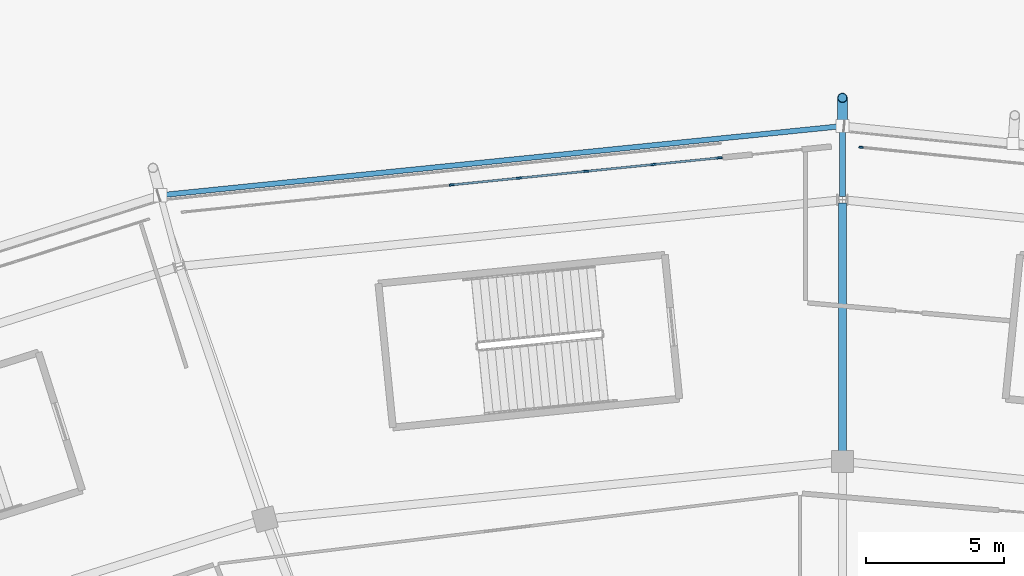
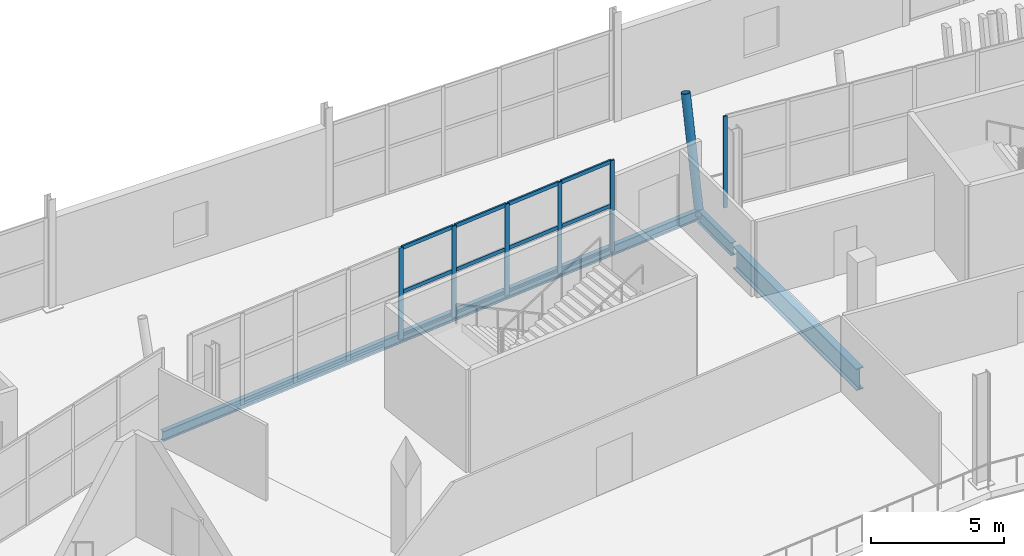
# One storey, part 77 of 179: 19 members, 3 beams, 2 elements without a shape of their own.
"""IFC4 building model written with IfcOpenShell, lengths in metres."""

from ifc_helpers import new_model, si_unit, direction, frame, origin, origin_2d, place, context, subcontext, project, spatial, rectangle, hollow_circle, i_section, extrude, material, material_profile, profile_set, type_object, element, aggregate, save


model = new_model("IFC4")

# Units and contexts
model_context = context("Model", 3, precision=1e-05, world=origin(), true_north=direction((0.0, 1.0)))
body_context = subcontext(model_context, "Body", "Model", "MODEL_VIEW")
ifc_project = project(units=[si_unit("LENGTHUNIT", "METRE"), si_unit("AREAUNIT", "SQUARE_METRE"), si_unit("VOLUMEUNIT", "CUBIC_METRE"), si_unit("PLANEANGLEUNIT", "RADIAN"), si_unit("MASSUNIT", "GRAM", prefix="KILO")], contexts=[model_context])

# Site, building, storey
site_placement = place(None, origin())
site = spatial("IfcSite", under=ifc_project, at=site_placement, CompositionType="ELEMENT")
building_placement = place(site_placement, origin())
building = spatial("IfcBuilding", under=site, at=building_placement, Name="Zlatoyarsky Gate Stadium", CompositionType="ELEMENT")
storey_placement = place(building_placement, frame((0.0, 0.0, 10.60009765625)))
storey = spatial("IfcBuildingStorey", under=building, at=storey_placement, Name="L02", CompositionType="ELEMENT", Elevation=10.60009765625)

# Curtain wall, members
ifc_material_1 = material(Name="Thermally broken anodised aluminium curtain wall", Category="aluminium")
curtain_wall_type_1 = type_object("IfcCurtainWallType", Name="MONUMENTAL ARCHED GATE GLAZING UPPER", PredefinedType="USERDEFINED", material=ifc_material_1)
curtain_wall_1_placement = place(storey_placement, origin())
curtain_wall_1 = element("IfcCurtainWall", 1, at=curtain_wall_1_placement, inside=storey, type_object=curtain_wall_type_1, Name="Curtain wall CW-L02-06", ObjectType="ARCHED GATE GLAZING", PredefinedType="USERDEFINED")
ifc_material_2 = material(Name="Anodised aluminium 6063-T6", Category="aluminium")
ifc_material_profile_1 = material_profile(ifc_material_2, rectangle(XDim=0.074951171875, YDim=0.18994140625, at=origin_2d()), Name="ALU 75X190")
ifc_profile_set_1 = profile_set([ifc_material_profile_1], Name="Anodised aluminium 6063-T6")
member_type_1 = type_object("IfcMemberType", Name="ALUMINIUM GATE MULLION 75X190", PredefinedType="MULLION", material=ifc_profile_set_1)
member_1_placement = place(storey_placement, frame((106.535400390625, 152.524169921875, 0.0), z_axis=(0.0, 0.0, 1.0), x_axis=(0.100642363208, -0.994922667712, 0.0)))
member_1 = element("IfcMember", 2, at=member_1_placement, type_object=member_type_1, Name="CW-AG2 mullion 1", PredefinedType="MULLION", context=body_context, shape_type="SweptSolid", body=[
    extrude(rectangle(XDim=0.074951171875, YDim=0.18994140625, at=origin_2d()), origin(), (0.0, 0.0, 1.0), 4.199951171875),
])
member_2_placement = place(storey_placement, frame((104.13427734375, 152.28125, 0.0), z_axis=(0.0, 0.0, 1.0), x_axis=(0.100642363208, -0.994922667712, 0.0)))
member_2 = element("IfcMember", 3, at=member_2_placement, type_object=member_type_1, Name="CW-AG2 mullion 2", PredefinedType="MULLION", context=body_context, shape_type="SweptSolid", body=[
    extrude(rectangle(XDim=0.074951171875, YDim=0.18994140625, at=origin_2d()), origin(), (0.0, 0.0, 1.0), 4.199951171875),
])
member_3_placement = place(storey_placement, frame((101.69580078125, 152.03466796875, 0.0), z_axis=(0.0, 0.0, 1.0), x_axis=(0.100642363208, -0.994922667712, 0.0)))
member_3 = element("IfcMember", 4, at=member_3_placement, type_object=member_type_1, Name="CW-AG2 mullion 3", PredefinedType="MULLION", context=body_context, shape_type="SweptSolid", body=[
    extrude(rectangle(XDim=0.074951171875, YDim=0.18994140625, at=origin_2d()), origin(), (0.0, 0.0, 1.0), 4.199951171875),
])
member_4_placement = place(storey_placement, frame((99.25732421875, 151.7880859375, 0.0), z_axis=(0.0, 0.0, 1.0), x_axis=(0.100642363208, -0.994922667712, 0.0)))
member_4 = element("IfcMember", 5, at=member_4_placement, type_object=member_type_1, Name="CW-AG2 mullion 4", PredefinedType="MULLION", context=body_context, shape_type="SweptSolid", body=[
    extrude(rectangle(XDim=0.074951171875, YDim=0.18994140625, at=origin_2d()), origin(), (0.0, 0.0, 1.0), 4.199951171875),
])
member_5_placement = place(storey_placement, frame((96.81884765625, 151.541259765625, 0.0), z_axis=(0.0, 0.0, 1.0), x_axis=(0.100642363208, -0.994922667712, 0.0)))
member_5 = element("IfcMember", 6, at=member_5_placement, type_object=member_type_1, Name="CW-AG2 mullion 5", PredefinedType="MULLION", context=body_context, shape_type="SweptSolid", body=[
    extrude(rectangle(XDim=0.074951171875, YDim=0.18994140625, at=origin_2d()), origin(), (0.0, 0.0, 1.0), 4.199951171875),
])
ifc_material_profile_2 = material_profile(ifc_material_2, rectangle(XDim=0.074951171875, YDim=0.169921875, at=origin_2d()), Name="ALU 75X170")
ifc_profile_set_2 = profile_set([ifc_material_profile_2], Name="Anodised aluminium 6063-T6")
member_type_2 = type_object("IfcMemberType", Name="ALUMINIUM GATE TRANSOM 75X170", PredefinedType="USERDEFINED", material=ifc_profile_set_2)
member_6_placement = place(storey_placement, frame((106.498046875, 152.5205078125, 0.037353515625), z_axis=(-0.994922838656, -0.100640673291, 0.0), x_axis=(0.100640673291, -0.994922838656, 0.0)))
member_6 = element("IfcMember", 7, at=member_6_placement, type_object=member_type_2, Name="CW-AG2 transom 1.1", ObjectType="TRANSOM", PredefinedType="USERDEFINED", context=body_context, shape_type="SweptSolid", body=[
    extrude(rectangle(XDim=0.074951171875, YDim=0.169921875, at=origin_2d()), origin(), (0.0, 0.0, 1.0), 2.338623046875),
])
member_7_placement = place(storey_placement, frame((106.498046875, 152.5205078125, 2.14990234375), z_axis=(-0.994922838656, -0.100640673291, 0.0), x_axis=(0.100640673291, -0.994922838656, 0.0)))
member_7 = element("IfcMember", 8, at=member_7_placement, type_object=member_type_2, Name="CW-AG2 transom 1.2", ObjectType="TRANSOM", PredefinedType="USERDEFINED", context=body_context, shape_type="SweptSolid", body=[
    extrude(rectangle(XDim=0.074951171875, YDim=0.169921875, at=origin_2d()), origin(), (0.0, 0.0, 1.0), 2.338623046875),
])
member_8_placement = place(storey_placement, frame((106.498046875, 152.5205078125, 4.162353515625), z_axis=(-0.994922838656, -0.100640673291, 0.0), x_axis=(0.100640673291, -0.994922838656, 0.0)))
member_8 = element("IfcMember", 9, at=member_8_placement, type_object=member_type_2, Name="CW-AG2 transom 1.3", ObjectType="TRANSOM", PredefinedType="USERDEFINED", context=body_context, shape_type="SweptSolid", body=[
    extrude(rectangle(XDim=0.074951171875, YDim=0.169921875, at=origin_2d()), origin(), (0.0, 0.0, 1.0), 2.338623046875),
])
member_9_placement = place(storey_placement, frame((104.096923828125, 152.277587890625, 0.037353515625), z_axis=(-0.994916410424, -0.10070420184, 0.0), x_axis=(0.10070420184, -0.994916410424, 0.0)))
member_9 = element("IfcMember", 10, at=member_9_placement, type_object=member_type_2, Name="CW-AG2 transom 2.1", ObjectType="TRANSOM", PredefinedType="USERDEFINED", context=body_context, shape_type="SweptSolid", body=[
    extrude(rectangle(XDim=0.074951171875, YDim=0.169921875, at=origin_2d()), origin(), (0.0, 0.0, 1.0), 2.375732421875),
])
member_10_placement = place(storey_placement, frame((104.096923828125, 152.277587890625, 2.14990234375), z_axis=(-0.994916410424, -0.10070420184, 0.0), x_axis=(0.10070420184, -0.994916410424, 0.0)))
member_10 = element("IfcMember", 11, at=member_10_placement, type_object=member_type_2, Name="CW-AG2 transom 2.2", ObjectType="TRANSOM", PredefinedType="USERDEFINED", context=body_context, shape_type="SweptSolid", body=[
    extrude(rectangle(XDim=0.074951171875, YDim=0.169921875, at=origin_2d()), origin(), (0.0, 0.0, 1.0), 2.375732421875),
])
member_11_placement = place(storey_placement, frame((104.096923828125, 152.277587890625, 4.162353515625), z_axis=(-0.994916410424, -0.10070420184, 0.0), x_axis=(0.10070420184, -0.994916410424, 0.0)))
member_11 = element("IfcMember", 12, at=member_11_placement, type_object=member_type_2, Name="CW-AG2 transom 2.3", ObjectType="TRANSOM", PredefinedType="USERDEFINED", context=body_context, shape_type="SweptSolid", body=[
    extrude(rectangle(XDim=0.074951171875, YDim=0.169921875, at=origin_2d()), origin(), (0.0, 0.0, 1.0), 2.375732421875),
])
member_12_placement = place(storey_placement, frame((101.658447265625, 152.031005859375, 0.037353515625), z_axis=(-0.994916410424, -0.10070420184, 0.0), x_axis=(0.10070420184, -0.994916410424, 0.0)))
member_12 = element("IfcMember", 13, at=member_12_placement, type_object=member_type_2, Name="CW-AG2 transom 3.1", ObjectType="TRANSOM", PredefinedType="USERDEFINED", context=body_context, shape_type="SweptSolid", body=[
    extrude(rectangle(XDim=0.074951171875, YDim=0.169921875, at=origin_2d()), origin(), (0.0, 0.0, 1.0), 2.375732421875),
])
member_13_placement = place(storey_placement, frame((101.658447265625, 152.031005859375, 2.14990234375), z_axis=(-0.994916410424, -0.10070420184, 0.0), x_axis=(0.10070420184, -0.994916410424, 0.0)))
member_13 = element("IfcMember", 14, at=member_13_placement, type_object=member_type_2, Name="CW-AG2 transom 3.2", ObjectType="TRANSOM", PredefinedType="USERDEFINED", context=body_context, shape_type="SweptSolid", body=[
    extrude(rectangle(XDim=0.074951171875, YDim=0.169921875, at=origin_2d()), origin(), (0.0, 0.0, 1.0), 2.375732421875),
])
member_14_placement = place(storey_placement, frame((101.658447265625, 152.031005859375, 4.162353515625), z_axis=(-0.994916410424, -0.10070420184, 0.0), x_axis=(0.10070420184, -0.994916410424, 0.0)))
member_14 = element("IfcMember", 15, at=member_14_placement, type_object=member_type_2, Name="CW-AG2 transom 3.3", ObjectType="TRANSOM", PredefinedType="USERDEFINED", context=body_context, shape_type="SweptSolid", body=[
    extrude(rectangle(XDim=0.074951171875, YDim=0.169921875, at=origin_2d()), origin(), (0.0, 0.0, 1.0), 2.375732421875),
])
member_15_placement = place(storey_placement, frame((99.219970703125, 151.7841796875, 0.037353515625), z_axis=(-0.994926701027, -0.10060248299, 0.0), x_axis=(0.10060248299, -0.994926701027, 0.0)))
member_15 = element("IfcMember", 16, at=member_15_placement, type_object=member_type_2, Name="CW-AG2 transom 4.1", ObjectType="TRANSOM", PredefinedType="USERDEFINED", context=body_context, shape_type="SweptSolid", body=[
    extrude(rectangle(XDim=0.074951171875, YDim=0.169921875, at=origin_2d()), origin(), (0.0, 0.0, 1.0), 2.375732421875),
])
member_16_placement = place(storey_placement, frame((99.219970703125, 151.7841796875, 2.14990234375), z_axis=(-0.994926701027, -0.10060248299, 0.0), x_axis=(0.10060248299, -0.994926701027, 0.0)))
member_16 = element("IfcMember", 17, at=member_16_placement, type_object=member_type_2, Name="CW-AG2 transom 4.2", ObjectType="TRANSOM", PredefinedType="USERDEFINED", context=body_context, shape_type="SweptSolid", body=[
    extrude(rectangle(XDim=0.074951171875, YDim=0.169921875, at=origin_2d()), origin(), (0.0, 0.0, 1.0), 2.375732421875),
])
member_17_placement = place(storey_placement, frame((99.219970703125, 151.7841796875, 4.162353515625), z_axis=(-0.994926701027, -0.10060248299, 0.0), x_axis=(0.10060248299, -0.994926701027, 0.0)))
member_17 = element("IfcMember", 18, at=member_17_placement, type_object=member_type_2, Name="CW-AG2 transom 4.3", ObjectType="TRANSOM", PredefinedType="USERDEFINED", context=body_context, shape_type="SweptSolid", body=[
    extrude(rectangle(XDim=0.074951171875, YDim=0.169921875, at=origin_2d()), origin(), (0.0, 0.0, 1.0), 2.375732421875),
])
aggregate(curtain_wall_1, [member_1, member_2, member_3, member_4, member_5, member_6, member_7, member_8, member_9, member_10, member_11, member_12, member_13, member_14, member_15, member_16, member_17])

# Curtain wall, member
curtain_wall_type_2 = type_object("IfcCurtainWallType", Name="UNITISED HOSPITALITY GLAZING L02", PredefinedType="USERDEFINED", material=ifc_material_1)
curtain_wall_2_placement = place(storey_placement, origin())
curtain_wall_2 = element("IfcCurtainWall", 19, at=curtain_wall_2_placement, inside=storey, type_object=curtain_wall_type_2, Name="Curtain wall CW-L02-05", ObjectType="UNITISED GLAZING", PredefinedType="USERDEFINED")
ifc_material_profile_3 = material_profile(ifc_material_2, rectangle(XDim=0.06494140625, YDim=0.159912109375, at=origin_2d()), Name="ALU 65X160")
ifc_profile_set_3 = profile_set([ifc_material_profile_3], Name="Anodised aluminium 6063-T6")
member_type_3 = type_object("IfcMemberType", Name="ALUMINIUM MULLION 65X160", PredefinedType="MULLION", material=ifc_profile_set_3)
member_18_placement = place(storey_placement, frame((111.678955078125, 152.9072265625, 0.0), z_axis=(0.0, 0.0, 1.0), x_axis=(-0.100644885375, -0.994922412577, 0.0)))
member_18 = element("IfcMember", 20, at=member_18_placement, type_object=member_type_3, Name="CW-UG2 mullion 10", PredefinedType="MULLION", context=body_context, shape_type="SweptSolid", body=[
    extrude(rectangle(XDim=0.06494140625, YDim=0.159912109375, at=origin_2d()), origin(), (0.0, 0.0, 1.0), 4.199951171875),
])
aggregate(curtain_wall_2, [member_18])

# Beams
ifc_material_3 = material(Name="Steel S355", Category="steel")
ifc_material_profile_4 = material_profile(ifc_material_3, i_section(OverallWidth=0.219970703125, OverallDepth=0.60009765625, WebThickness=0.011962890625, FlangeThickness=0.01904296875, FilletRadius=0.02392578125, at=origin_2d()), Name="IPE 600")
ifc_profile_set_4 = profile_set([ifc_material_profile_4], Name="Steel S355")
beam_type_1 = type_object("IfcBeamType", Name="STEEL CANTILEVER FLOOR BEAM IPE 600", PredefinedType="BEAM", material=ifc_profile_set_4)
beam_1_placement = place(storey_placement, frame((111.0, 151.1201171875, -0.580078125), z_axis=(0.0, 1.0, 0.0), x_axis=(-1.0, 0.0, 0.0)))
element("IfcBeam", 21, at=beam_1_placement, inside=storey, type_object=beam_type_1, Name="Beam B-IPE600 BM-L02-OUT-06", PredefinedType="BEAM", context=body_context, shape_type="SweptSolid", body=[
    extrude(i_section(OverallWidth=0.219970703125, OverallDepth=0.60009765625, WebThickness=0.011962890625, FlangeThickness=0.01904296875, FilletRadius=0.02392578125, at=origin_2d()), origin(), (0.0, 0.0, 1.0), 2.5556640625),
])
ifc_material_profile_5 = material_profile(ifc_material_3, i_section(OverallWidth=0.18994140625, OverallDepth=0.449951171875, WebThickness=0.009521484375, FlangeThickness=0.0146484375, FilletRadius=0.02099609375, at=origin_2d()), Name="IPE 450")
ifc_profile_set_5 = profile_set([ifc_material_profile_5], Name="Steel S355")
beam_type_2 = type_object("IfcBeamType", Name="STEEL EDGE SPANDREL IPE 450", PredefinedType="SPANDREL", material=ifc_profile_set_5)
beam_2_placement = place(storey_placement, frame((110.97998046875, 153.673828125, -0.505126953125), z_axis=(-0.994900567016, -0.10086060555, 0.0), x_axis=(0.10086060555, -0.994900567016, 0.0)))
element("IfcBeam", 22, at=beam_2_placement, inside=storey, type_object=beam_type_2, Name="Beam SP-IPE450 BM-L02-SPD-06", PredefinedType="SPANDREL", context=body_context, shape_type="SweptSolid", body=[
    extrude(i_section(OverallWidth=0.18994140625, OverallDepth=0.449951171875, WebThickness=0.009521484375, FlangeThickness=0.0146484375, FilletRadius=0.02099609375, at=origin_2d()), origin(), (0.0, 0.0, 1.0), 24.849609375),
])

# Member
ifc_material_profile_6 = material_profile(ifc_material_3, hollow_circle(Radius=0.177734375, WallThickness=0.02001953125, at=origin_2d()), Name="CHS 355.6X20")
ifc_profile_set_6 = profile_set([ifc_material_profile_6], Name="Steel S355")
member_type_4 = type_object("IfcMemberType", Name="STEEL LEANING RIB RING STRUT CHS 355.6X20", PredefinedType="STRUT", material=ifc_profile_set_6)
member_19_placement = place(storey_placement, frame((111.0, 153.67578125, -0.580078125), z_axis=(0.0, 0.201080663232, 0.979574686726), x_axis=(-1.0, 0.0, 0.0)))
element("IfcMember", 23, at=member_19_placement, inside=storey, type_object=member_type_4, Name="Leaning ring strut 06 L02 to L03", PredefinedType="STRUT", context=body_context, shape_type="SweptSolid", body=[
    extrude(hollow_circle(Radius=0.177734375, WallThickness=0.02001953125, at=origin_2d()), origin(), (0.0, 0.0, 1.0), 5.104248046875),
])

# Beam
ifc_material_profile_7 = material_profile(ifc_material_3, i_section(OverallWidth=0.300048828125, OverallDepth=1.0, WebThickness=0.01904296875, FlangeThickness=0.035888671875, FilletRadius=0.030029296875, at=origin_2d()), Name="HEB 1000")
ifc_profile_set_7 = profile_set([ifc_material_profile_7], Name="Steel S355")
beam_type_3 = type_object("IfcBeamType", Name="STEEL TRANSFER GIRDER HEB 1000", PredefinedType="BEAM", material=ifc_profile_set_7)
beam_3_placement = place(storey_placement, frame((111.0, 141.6201171875, -0.780029296875), z_axis=(0.0, 1.0, 0.0), x_axis=(-1.0, 0.0, 0.0)))
element("IfcBeam", 24, at=beam_3_placement, inside=storey, type_object=beam_type_3, Name="Beam G-HEB1000 BM-L02-RBC-06", PredefinedType="BEAM", context=body_context, shape_type="SweptSolid", body=[
    extrude(i_section(OverallWidth=0.300048828125, OverallDepth=1.0, WebThickness=0.01904296875, FlangeThickness=0.035888671875, FilletRadius=0.030029296875, at=origin_2d()), origin(), (0.0, 0.0, 1.0), 9.259765625),
])

save(model, "model.ifc")
